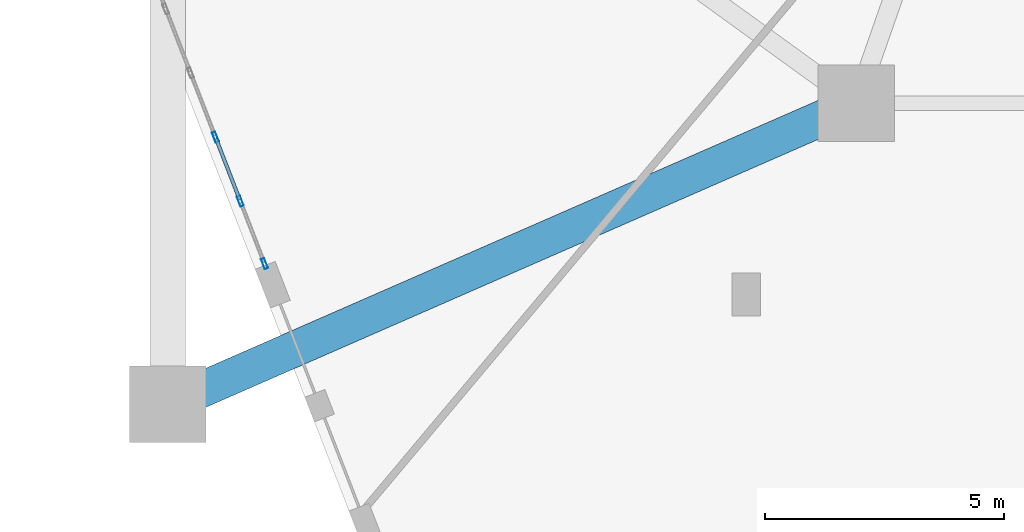
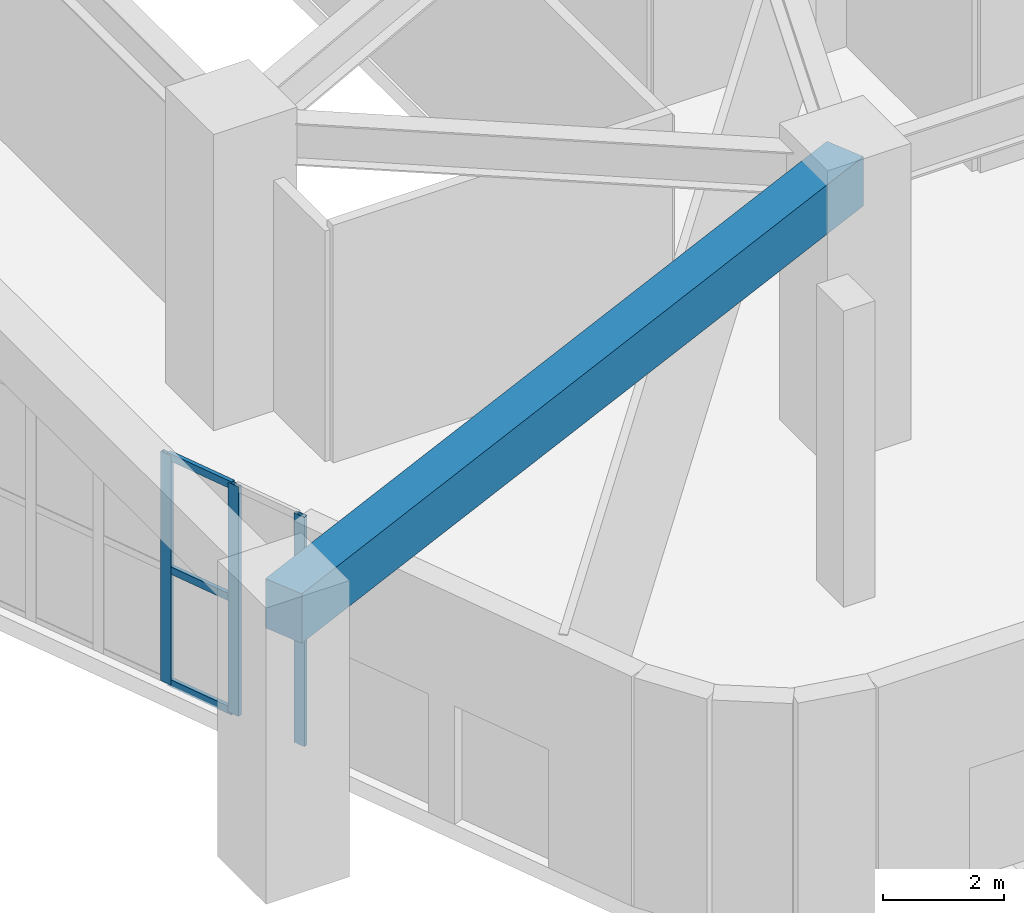
# One storey, part 3 of 35: 6 members, 1 beam, 1 element without a shape of its own.
"""IFC4 building model written with IfcOpenShell, lengths in metres."""

from ifc_helpers import new_model, si_unit, direction, frame, origin, origin_2d, place, context, subcontext, project, spatial, rectangle, hollow_rectangle, extrude, material, layer, layer_set, material_profile, profile_set, type_object, element, aggregate, save


model = new_model("IFC4")

# Units and contexts
model_context = context("Model", 3, precision=1e-05, world=origin(), true_north=direction((0.0, 1.0)))
body_context = subcontext(model_context, "Body", "Model", "MODEL_VIEW")
ifc_project = project(units=[si_unit("LENGTHUNIT", "METRE"), si_unit("AREAUNIT", "SQUARE_METRE"), si_unit("VOLUMEUNIT", "CUBIC_METRE"), si_unit("PLANEANGLEUNIT", "RADIAN"), si_unit("MASSUNIT", "GRAM", prefix="KILO")], contexts=[model_context])

# Site, building, storey
site_placement = place(None, origin())
site = spatial("IfcSite", under=ifc_project, at=site_placement, CompositionType="ELEMENT")
building_placement = place(site_placement, origin())
building = spatial("IfcBuilding", under=site, at=building_placement, Name="Kilnhurst Terrace Hotel", CompositionType="ELEMENT")
storey_placement = place(building_placement, origin())
storey = spatial("IfcBuildingStorey", under=building, at=storey_placement, Name="L00", CompositionType="ELEMENT", Elevation=0.0)

# Curtain wall, members
ifc_material_1 = material(Name="Anodized Aluminium Alloy 6063-T6 and Low-E Glass", Category="aluminium")
ifc_layer = layer(ifc_material_1, 0.219970703125, Name="Anodized Aluminium Alloy 6063-T6 and Low-E Glass")
ifc_layer_set = layer_set([ifc_layer], Name="Anodized Aluminium Alloy 6063-T6 and Low-E Glass")
curtain_wall_type = type_object("IfcCurtainWallType", Name="CW-POD-LOBBY", PredefinedType="NOTDEFINED", material=ifc_layer_set)
curtain_wall_placement = place(storey_placement, origin())
curtain_wall = element("IfcCurtainWall", 1, at=curtain_wall_placement, inside=storey, type_object=curtain_wall_type, Name="L00 Curtain Wall CW-L00-F6-1", PredefinedType="NOTDEFINED")
ifc_material_2 = material(Name="Extruded Aluminium Alloy 6063-T6", Category="aluminium")
ifc_material_profile_1 = material_profile(ifc_material_2, hollow_rectangle(XDim=0.074951171875, YDim=0.219970703125, WallThickness=0.00390625, at=origin_2d()), Name="CWM75X220")
ifc_profile_set_1 = profile_set([ifc_material_profile_1], Name="Extruded Aluminium Alloy 6063-T6")
member_type_1 = type_object("IfcMemberType", Name="MEM-CWM75X220", PredefinedType="MULLION", material=ifc_profile_set_1)
member_1_placement = place(storey_placement, frame((-26.602783203125, -20.2080078125, 0.0), z_axis=(0.0, 0.0, 1.0), x_axis=(0.932318230572, 0.361638931731, 0.0)))
member_1 = element("IfcMember", 2, at=member_1_placement, type_object=member_type_1, Name="CWL-1 mullion 9", PredefinedType="MULLION", context=body_context, shape_type="SweptSolid", body=[
    extrude(hollow_rectangle(XDim=0.074951171875, YDim=0.219970703125, WallThickness=0.00390625, at=origin_2d()), origin(), (0.0, 0.0, 1.0), 4.64990234375),
])
member_2_placement = place(storey_placement, frame((-26.082275390625, -21.5498046875, 0.0), z_axis=(0.0, 0.0, 1.0), x_axis=(0.932318230572, 0.361638931731, 0.0)))
member_2 = element("IfcMember", 3, at=member_2_placement, type_object=member_type_1, Name="CWL-1 mullion 10", PredefinedType="MULLION", context=body_context, shape_type="SweptSolid", body=[
    extrude(hollow_rectangle(XDim=0.074951171875, YDim=0.219970703125, WallThickness=0.00390625, at=origin_2d()), origin(), (0.0, 0.0, 1.0), 4.64990234375),
])
member_3_placement = place(storey_placement, frame((-25.575439453125, -22.8564453125, 0.0), z_axis=(0.0, 0.0, 1.0), x_axis=(0.932318230572, 0.361638931731, 0.0)))
member_3 = element("IfcMember", 4, at=member_3_placement, type_object=member_type_1, Name="CWL-1 mullion 11", PredefinedType="MULLION", context=body_context, shape_type="SweptSolid", body=[
    extrude(hollow_rectangle(XDim=0.074951171875, YDim=0.219970703125, WallThickness=0.00390625, at=origin_2d()), origin(), (0.0, 0.0, 1.0), 4.64990234375),
])
ifc_material_profile_2 = material_profile(ifc_material_2, hollow_rectangle(XDim=0.074951171875, YDim=0.14990234375, WallThickness=0.00390625, at=origin_2d()), Name="CWT75X150")
ifc_profile_set_2 = profile_set([ifc_material_profile_2], Name="Extruded Aluminium Alloy 6063-T6")
member_type_2 = type_object("IfcMemberType", Name="MEM-CWT75X150", PredefinedType="USERDEFINED", material=ifc_profile_set_2)
member_4_placement = place(storey_placement, frame((-26.589111328125, -20.242919921875, 0.03759765625), z_axis=(0.361556432835, -0.932350227048, 0.0), x_axis=(0.932350227048, 0.361556432835, 0.0)))
member_4 = element("IfcMember", 5, at=member_4_placement, type_object=member_type_2, Name="CWL-1 transom 9.1", ObjectType="TRANSOM", PredefinedType="USERDEFINED", context=body_context, shape_type="SweptSolid", body=[
    extrude(hollow_rectangle(XDim=0.074951171875, YDim=0.14990234375, WallThickness=0.00390625, at=origin_2d()), origin(), (0.0, 0.0, 1.0), 1.364013671875),
])
member_5_placement = place(storey_placement, frame((-26.589111328125, -20.242919921875, 2.324951171875), z_axis=(0.361556432835, -0.932350227048, 0.0), x_axis=(0.932350227048, 0.361556432835, 0.0)))
member_5 = element("IfcMember", 6, at=member_5_placement, type_object=member_type_2, Name="CWL-1 transom 9.2", ObjectType="TRANSOM", PredefinedType="USERDEFINED", context=body_context, shape_type="SweptSolid", body=[
    extrude(hollow_rectangle(XDim=0.074951171875, YDim=0.14990234375, WallThickness=0.00390625, at=origin_2d()), origin(), (0.0, 0.0, 1.0), 1.364013671875),
])
member_6_placement = place(storey_placement, frame((-26.589111328125, -20.242919921875, 4.612548828125), z_axis=(0.361556432835, -0.932350227048, 0.0), x_axis=(0.932350227048, 0.361556432835, 0.0)))
member_6 = element("IfcMember", 7, at=member_6_placement, type_object=member_type_2, Name="CWL-1 transom 9.3", ObjectType="TRANSOM", PredefinedType="USERDEFINED", context=body_context, shape_type="SweptSolid", body=[
    extrude(hollow_rectangle(XDim=0.074951171875, YDim=0.14990234375, WallThickness=0.00390625, at=origin_2d()), origin(), (0.0, 0.0, 1.0), 1.364013671875),
])
aggregate(curtain_wall, [member_1, member_2, member_3, member_4, member_5, member_6])

# Beam
ifc_material_3 = material(Name="Concrete C50/60", Category="concrete")
ifc_material_profile_3 = material_profile(ifc_material_3, rectangle(XDim=0.75, YDim=1.0, at=origin_2d()), Name="RC750X1000")
ifc_profile_set_3 = profile_set([ifc_material_profile_3], Name="Concrete C50/60")
beam_type = type_object("IfcBeamType", Name="TBM-GAR-750X1000", PredefinedType="T_BEAM", material=ifc_profile_set_3)
beam_placement = place(storey_placement, frame((-27.60009765625, -25.800048828125, 5.179931640625), z_axis=(0.916157691387, 0.400818019196, 0.0), x_axis=(-0.400818019196, 0.916157691387, 0.0)))
element("IfcBeam", 8, at=beam_placement, inside=storey, type_object=beam_type, Name="L00 Outer Ring Tee Beam 9", PredefinedType="T_BEAM", context=body_context, shape_type="SweptSolid", body=[
    extrude(rectangle(XDim=0.75, YDim=1.0, at=origin_2d()), origin(), (0.0, 0.0, 1.0), 15.718017578125),
])

save(model, "model.ifc")
